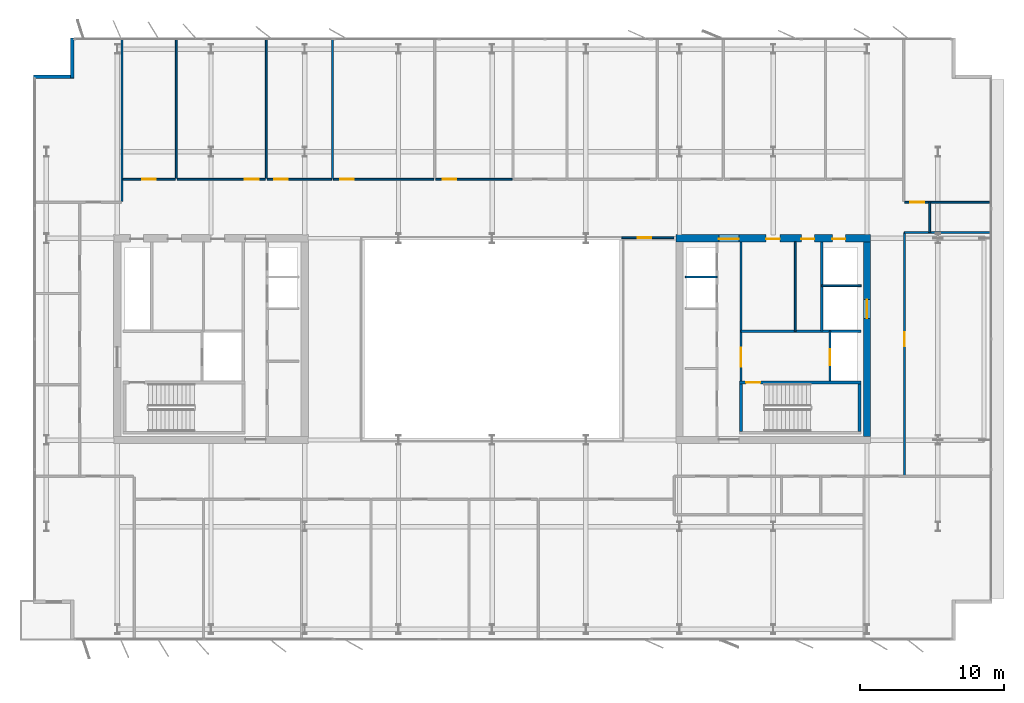
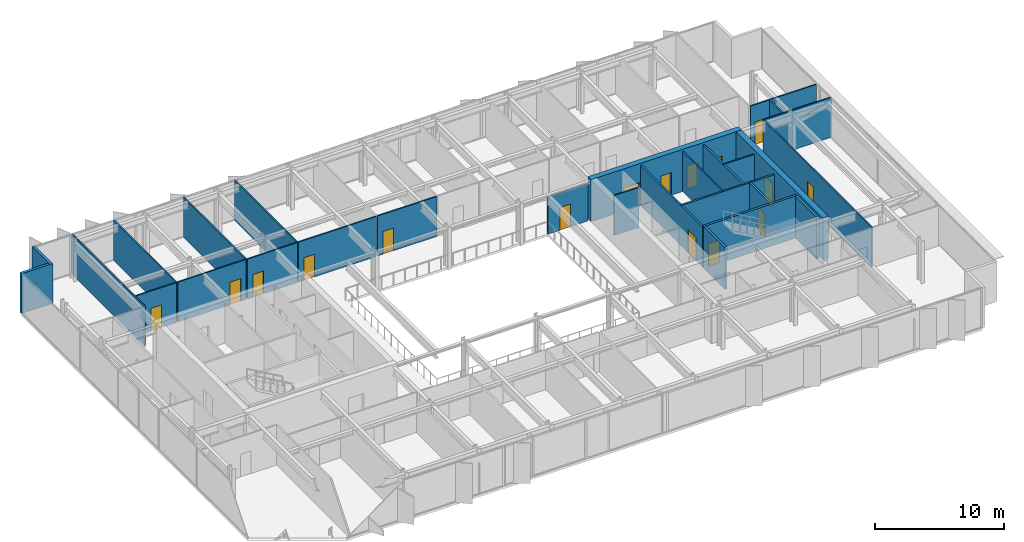
# One storey, part 15 of 20: 28 walls, 16 doors, 16 openings.
"""IFC4 building model written with IfcOpenShell, lengths in metres."""

import ifcopenshell
import ifcopenshell.guid

model = None  # the IFC model being written
_history = None  # IfcOwnerHistory: only IFC2X3 demands one
_inside = {}  # id of a spatial element -> (the spatial element, [elements in it])
_under = {}  # id of a project, library or spatial element -> (it, [spatial elements below it])
_declared = {}  # id of a project -> (the project, [libraries it declares])
_typed = {}  # id of a type object -> (the type object, [elements of that type])
_made_of = {}  # id of a material, layer set ... -> (it, [elements and type objects made of it])


def new_model(schema):
    """Start an empty IFC model of exactly this schema.

    Asked for "IFC4X3", IfcOpenShell would pick the latest addendum, in which some entities
    have other attributes; the version numbers below select the first issue.
    IFC2X3 requires an IfcOwnerHistory on every rooted entity: one is made here for all.
    """
    global model, _history
    if schema == "IFC4X3":
        model = ifcopenshell.file(schema_version=(4, 3, 0, 0))
    else:
        model = ifcopenshell.file(schema=schema)
    _inside.clear()
    _under.clear()
    _declared.clear()
    _typed.clear()
    _made_of.clear()
    _history = None
    if model.schema == "IFC2X3":
        org = make("IfcOrganization", Name="unknown")
        user = make(
            "IfcPersonAndOrganization",
            ThePerson=make("IfcPerson", FamilyName="unknown"),
            TheOrganization=org,
        )
        app = make(
            "IfcApplication",
            ApplicationDeveloper=org,
            Version="unknown",
            ApplicationFullName="unknown",
            ApplicationIdentifier="unknown",
        )
        _history = make(
            "IfcOwnerHistory",
            OwningUser=user,
            OwningApplication=app,
            ChangeAction="ADDED",
            CreationDate=0,
        )
    return model


def make(cls, **values):
    """One entity of the class cls with the attributes given. An attribute that is None is left unset."""
    return model.create_entity(
        cls, **{name: value for name, value in values.items() if value is not None}
    )


def rooted(cls, **values):
    """An entity with a GlobalId (a new one), such as an element, a storey or a relation."""
    return make(cls, GlobalId=ifcopenshell.guid.new(), OwnerHistory=_history, **values)


def si_unit(unit_type, name, prefix=None):
    """IfcSIUnit, for example si_unit("LENGTHUNIT", "METRE", prefix="MILLI")."""
    return make("IfcSIUnit", UnitType=unit_type, Prefix=prefix, Name=name)


def assignment(units):
    """IfcUnitAssignment: the units of a project."""
    return None if units is None else make("IfcUnitAssignment", Units=units)


def point(xyz):
    """IfcCartesianPoint."""
    return None if xyz is None else make("IfcCartesianPoint", Coordinates=xyz)


def direction(xyz):
    """IfcDirection."""
    return None if xyz is None else make("IfcDirection", DirectionRatios=xyz)


def frame(location, z_axis=None, x_axis=None):
    """IfcAxis2Placement3D, a coordinate frame: its origin and axes. An axis left out is left unset."""
    return make(
        "IfcAxis2Placement3D",
        Location=point(location),
        Axis=direction(z_axis),
        RefDirection=direction(x_axis),
    )


def frame_2d(location, x_axis=None):
    """IfcAxis2Placement2D, a coordinate frame in the plane: its origin and x axis."""
    return make(
        "IfcAxis2Placement2D", Location=point(location), RefDirection=direction(x_axis)
    )


def origin():
    """The frame at (0, 0, 0) with its axes left unset."""
    return frame((0.0, 0.0, 0.0))


def place(relative_to, where):
    """IfcLocalPlacement: puts the frame where relative to a parent placement (None: the world)."""
    return make(
        "IfcLocalPlacement", PlacementRelTo=relative_to, RelativePlacement=where
    )


def context(
    kind, dimensions, precision=None, world=None, true_north=None, identifier=None
):
    """IfcGeometricRepresentationContext, for example the 3D "Model" context."""
    return make(
        "IfcGeometricRepresentationContext",
        ContextIdentifier=identifier,
        ContextType=kind,
        CoordinateSpaceDimension=dimensions,
        Precision=precision,
        WorldCoordinateSystem=world,
        TrueNorth=true_north,
    )


def subcontext(parent, identifier, kind, view, scale=None):
    """IfcGeometricRepresentationSubContext, for example "Body" below "Model"."""
    return make(
        "IfcGeometricRepresentationSubContext",
        ContextIdentifier=identifier,
        ContextType=kind,
        ParentContext=parent,
        TargetScale=scale,
        TargetView=view,
    )


def project(units=None, contexts=None):
    """IfcProject with its units and contexts."""
    return rooted(
        "IfcProject",
        Name="project",
        RepresentationContexts=contexts,
        UnitsInContext=assignment(units),
    )


def spatial(cls, under=None, at=None, **own):
    """A site, building, storey or space (cls), placed at a placement, below another one or the project."""
    s = rooted(cls, ObjectPlacement=at, **own)
    if under is not None:
        _under.setdefault(under.id(), (under, []))[1].append(s)
    return s


def profile(cls, at=None, kind="AREA", **sizes):
    """A parametric profile (cls). Its sizes go by their IFC names, for example OverallWidth=200.0."""
    return make(cls, ProfileType=kind, Position=at, **sizes)


def rectangle(**sizes):
    """IfcRectangleProfileDef."""
    return profile("IfcRectangleProfileDef", **sizes)


def extrude(swept, where, along, depth):
    """IfcExtrudedAreaSolid: the profile swept, set in the frame where, extruded along a direction by depth."""
    return make(
        "IfcExtrudedAreaSolid",
        SweptArea=swept,
        Position=where,
        ExtrudedDirection=direction(along),
        Depth=depth,
    )


def shape(context_of_items, identifier, shape_type, items):
    """IfcShapeRepresentation: the items that make up one representation, for example the "Body"."""
    return make(
        "IfcShapeRepresentation",
        ContextOfItems=context_of_items,
        RepresentationIdentifier=identifier,
        RepresentationType=shape_type,
        Items=items,
    )


def material(Name=None, Category=None):
    """IfcMaterial."""
    return make("IfcMaterial", Name=Name, Category=Category)


def layer(
    of_material, thickness, ventilated=None, Name=None, Category=None, Priority=None
):
    """IfcMaterialLayer: one layer of a wall or slab, of a material (None: an air gap)."""
    return make(
        "IfcMaterialLayer",
        Material=of_material,
        LayerThickness=thickness,
        IsVentilated=ventilated,
        Name=Name,
        Category=Category,
        Priority=Priority,
    )


def layer_set(layers, Name=None):
    """IfcMaterialLayerSet."""
    return make("IfcMaterialLayerSet", MaterialLayers=layers, LayerSetName=Name)


def made_of(thing, what):
    """Note that an element or type object is made of a material, layer set ...; save() writes the relation."""
    if what is not None:
        _made_of.setdefault(what.id(), (what, []))[1].append(thing)
    return thing


def type_object(cls, material=None, **own):
    """A type object (cls), such as IfcWallType, which elements share."""
    return made_of(rooted(cls, **own), material)


def element(
    cls,
    number,
    at=None,
    inside=None,
    cuts=None,
    type_object=None,
    material=None,
    context=None,
    identifier="Body",
    shape_type=None,
    held_by="IfcProductDefinitionShape",
    body=None,
    shapes=None,
    **own,
):
    """One element of the class cls, such as IfcWall. Its Tag is "e" and its number.

    at: its placement. inside: the storey or other place that contains it. cuts: it is an
    opening in that element (IfcRelVoidsElement). A single representation is given by context,
    identifier, shape_type and body (its items); several are given by shapes. held_by: the class
    of the entity that holds the representations. save() writes the other relations.
    """
    e = rooted(cls, Tag="e%d" % number, ObjectPlacement=at, **own)
    if body is not None:
        shapes = [shape(context, identifier, shape_type, body)]
    if shapes is not None:
        e.Representation = make(held_by, Representations=shapes)
    if inside is not None:
        _inside.setdefault(inside.id(), (inside, []))[1].append(e)
    if cuts is not None:
        rooted(
            "IfcRelVoidsElement", RelatingBuildingElement=cuts, RelatedOpeningElement=e
        )
    if type_object is not None:
        _typed.setdefault(type_object.id(), (type_object, []))[1].append(e)
    return made_of(e, material)


def fill(opening, filler):
    """IfcRelFillsElement: the door or window that sits in an opening."""
    return rooted(
        "IfcRelFillsElement",
        RelatingOpeningElement=opening,
        RelatedBuildingElement=filler,
    )


def aggregate(whole, parts):
    """IfcRelAggregates: a whole, such as a stair, and the parts it consists of."""
    return rooted("IfcRelAggregates", RelatingObject=whole, RelatedObjects=parts)


def save(model, path):
    """Write the relations noted so far, then the file.

    IfcRelAggregates (storeys below a building ...), IfcRelContainedInSpatialStructure (elements
    in a storey), IfcRelDefinesByType, IfcRelAssociatesMaterial and IfcRelDeclares: one each for
    every whole, place, type object, material and project.
    """
    for whole, parts in _under.values():
        aggregate(whole, parts)
    for where, things in _inside.values():
        rooted(
            "IfcRelContainedInSpatialStructure",
            RelatedElements=things,
            RelatingStructure=where,
        )
    for kind, things in _typed.values():
        rooted("IfcRelDefinesByType", RelatedObjects=things, RelatingType=kind)
    for what, things in _made_of.values():
        rooted("IfcRelAssociatesMaterial", RelatedObjects=things, RelatingMaterial=what)
    for by, libraries in _declared.values():
        rooted("IfcRelDeclares", RelatingContext=by, RelatedDefinitions=libraries)
    model.write(path)


model = new_model("IFC4")

# Units and contexts
model_context = context("Model", 3, precision=1e-05, world=origin(), true_north=direction((0.0, 1.0)))
body_context = subcontext(model_context, "Body", "Model", "MODEL_VIEW")
ifc_project = project(units=[si_unit("LENGTHUNIT", "METRE"), si_unit("AREAUNIT", "SQUARE_METRE"), si_unit("VOLUMEUNIT", "CUBIC_METRE"), si_unit("PLANEANGLEUNIT", "RADIAN"), si_unit("MASSUNIT", "GRAM", prefix="KILO")], contexts=[model_context])

# Site, building, storey
site_placement = place(None, origin())
site = spatial("IfcSite", under=ifc_project, at=site_placement, CompositionType="ELEMENT")
building_placement = place(site_placement, origin())
building = spatial("IfcBuilding", under=site, at=building_placement, Name="Putna Gate Headquarters", CompositionType="ELEMENT")
storey_placement = place(building_placement, frame((0.0, 0.0, 294.39990234375)))
storey = spatial("IfcBuildingStorey", under=building, at=storey_placement, Name="L74", CompositionType="ELEMENT", Elevation=294.39990234375)

# Wall, openings, doors
ifc_material_1 = material(Name="Concrete C50/60", Category="concrete")
ifc_layer_1 = layer(ifc_material_1, 0.5)
ifc_layer_set_1 = layer_set([ifc_layer_1], Name="Concrete C50/60")
wall_type_1 = type_object("IfcWallType", Name="WALL-CORE-500", PredefinedType="SHEAR", material=ifc_layer_set_1)
wall_1_placement = place(storey_placement, frame((51.75, 33.0, 0.0), z_axis=(0.0, 0.0, 1.0), x_axis=(1.0, 0.0, 0.0)))
wall_1 = element("IfcWall", 1, at=wall_1_placement, inside=storey, type_object=wall_type_1, Name="L74 EC Split Core Shear Wall N", PredefinedType="SHEAR", context=body_context, shape_type="SweptSolid", body=[
    extrude(rectangle(XDim=13.5, YDim=0.5, at=frame_2d((6.75, 0.0))), origin(), (0.0, 0.0, 1.0), 4.0),
])
opening_1_placement = place(wall_1_placement, frame((2.969970703125, 0.0, 0.0)))
opening_1 = element("IfcOpeningElement", 2, at=opening_1_placement, cuts=wall_1, Name="Opening FDD-140", PredefinedType="OPENING", context=body_context, shape_type="SweptSolid", body=[
    extrude(rectangle(XDim=1.39990234375, YDim=2.199951171875, at=frame_2d((0.699951171875, 1.10009765625))), frame((0.0, 0.260009765625, 0.0), z_axis=(0.0, -1.0, 0.0), x_axis=(1.0, 0.0, 0.0)), (0.0, 0.0, 1.0), 0.52001953125),
])
opening_2_placement = place(wall_1_placement, frame((10.85009765625, 0.0, 0.0)))
opening_2 = element("IfcOpeningElement", 3, at=opening_2_placement, cuts=wall_1, Name="Opening RD-90", PredefinedType="OPENING", context=body_context, shape_type="SweptSolid", body=[
    extrude(rectangle(XDim=0.89990234375, YDim=2.14990234375, at=frame_2d((0.449951171875, 1.074951171875))), frame((0.0, 0.260009765625, 0.0), z_axis=(0.0, -1.0, 0.0), x_axis=(1.0, 0.0, 0.0)), (0.0, 0.0, 1.0), 0.52001953125),
])
opening_3_placement = place(wall_1_placement, frame((6.25, 0.0, 0.0)))
opening_3 = element("IfcOpeningElement", 4, at=opening_3_placement, cuts=wall_1, Name="Opening IDS-95", PredefinedType="OPENING", context=body_context, shape_type="SweptSolid", body=[
    extrude(rectangle(XDim=0.949951171875, YDim=2.14990234375, at=frame_2d((0.47509765625, 1.074951171875))), frame((0.0, 0.260009765625, 0.0), z_axis=(0.0, -1.0, 0.0), x_axis=(1.0, 0.0, 0.0)), (0.0, 0.0, 1.0), 0.52001953125),
])
opening_4_placement = place(wall_1_placement, frame((8.699951171875, 0.0, 0.0)))
opening_4 = element("IfcOpeningElement", 5, at=opening_4_placement, cuts=wall_1, Name="Opening IDS-90", PredefinedType="OPENING", context=body_context, shape_type="SweptSolid", body=[
    extrude(rectangle(XDim=0.89990234375, YDim=2.14990234375, at=frame_2d((0.449951171875, 1.074951171875))), frame((0.0, 0.260009765625, 0.0), z_axis=(0.0, -1.0, 0.0), x_axis=(1.0, 0.0, 0.0)), (0.0, 0.0, 1.0), 0.52001953125),
])
ifc_material_2 = material(Name="Double steel fire door", Category="steel")
door_type_1 = type_object("IfcDoorType", Name="DOOR-FIRE-DBL-1400", OperationType="DOUBLE_DOOR_SINGLE_SWING", PredefinedType="DOOR", material=ifc_material_2)
door_1_placement = place(opening_1_placement, origin())
door_1 = element("IfcDoor", 6, at=door_1_placement, inside=storey, type_object=door_type_1, Name="L74 East Lift Lobby North Door", OperationType="DOUBLE_DOOR_SINGLE_SWING", OverallHeight=2.199951171875, OverallWidth=1.39990234375, PredefinedType="DOOR", context=body_context, shape_type="SweptSolid", body=[
    extrude(rectangle(XDim=1.39990234375, YDim=2.199951171875, at=frame_2d((0.699951171875, 1.10009765625))), frame((0.0, -0.02490234375, 0.0), z_axis=(0.0, -1.0, 0.0), x_axis=(1.0, 0.0, 0.0)), (0.0, 0.0, 1.0), 0.050048828125),
])
fill(opening_1, door_1)
ifc_material_3 = material(Name="Fire-rated utility door")
door_type_2 = type_object("IfcDoorType", Name="DOOR-INT-900", OperationType="NOTDEFINED", PredefinedType="DOOR", material=ifc_material_3)
door_2_placement = place(opening_4_placement, origin())
door_2 = element("IfcDoor", 7, at=door_2_placement, inside=storey, type_object=door_type_2, Name="L74 Electrical Plant Door", OperationType="SINGLE_SWING_LEFT", OverallHeight=2.14990234375, OverallWidth=0.89990234375, PredefinedType="DOOR", context=body_context, shape_type="SweptSolid", body=[
    extrude(rectangle(XDim=0.89990234375, YDim=2.14990234375, at=frame_2d((0.449951171875, 1.074951171875))), frame((0.0, -0.02490234375, 0.0), z_axis=(0.0, -1.0, 0.0), x_axis=(1.0, 0.0, 0.0)), (0.0, 0.0, 1.0), 0.050048828125),
])
fill(opening_4, door_2)
ifc_material_4 = material(Name="Fire-rated service timber door", Category="wood")
door_type_3 = type_object("IfcDoorType", Name="DOOR-INT-950", OperationType="NOTDEFINED", PredefinedType="DOOR", material=ifc_material_4)
door_3_placement = place(opening_3_placement, origin())
door_3 = element("IfcDoor", 8, at=door_3_placement, inside=storey, type_object=door_type_3, Name="L74 East Store Door", OperationType="SINGLE_SWING_RIGHT", OverallHeight=2.14990234375, OverallWidth=0.949951171875, PredefinedType="DOOR", context=body_context, shape_type="SweptSolid", body=[
    extrude(rectangle(XDim=0.949951171875, YDim=2.14990234375, at=frame_2d((0.47509765625, 1.074951171875))), frame((0.0, -0.02490234375, 0.0), z_axis=(0.0, -1.0, 0.0), x_axis=(1.0, 0.0, 0.0)), (0.0, 0.0, 1.0), 0.050048828125),
])
fill(opening_3, door_3)
ifc_material_5 = material(Name="Steel riser access fire door", Category="steel")
door_type_4 = type_object("IfcDoorType", Name="DOOR-RISER-900", OperationType="NOTDEFINED", PredefinedType="DOOR", material=ifc_material_5)
door_4_placement = place(opening_2_placement, origin())
door_4 = element("IfcDoor", 9, at=door_4_placement, inside=storey, type_object=door_type_4, Name="L74 East Riser Access Door", OperationType="SINGLE_SWING_LEFT", OverallHeight=2.14990234375, OverallWidth=0.89990234375, PredefinedType="DOOR", context=body_context, shape_type="SweptSolid", body=[
    extrude(rectangle(XDim=0.89990234375, YDim=2.14990234375, at=frame_2d((0.449951171875, 1.074951171875))), frame((0.0, -0.02490234375, 0.0), z_axis=(0.0, -1.0, 0.0), x_axis=(1.0, 0.0, 0.0)), (0.0, 0.0, 1.0), 0.050048828125),
])
fill(opening_2, door_4)

# Wall, opening, door
wall_2_placement = place(storey_placement, frame((65.0, 19.25, 0.0), z_axis=(0.0, 0.0, 1.0), x_axis=(0.0, 1.0, 0.0)))
wall_2 = element("IfcWall", 10, at=wall_2_placement, inside=storey, type_object=wall_type_1, Name="L74 EC Split Core Shear Wall E", PredefinedType="SHEAR", context=body_context, shape_type="SweptSolid", body=[
    extrude(rectangle(XDim=13.5, YDim=0.5, at=frame_2d((6.75, 0.0))), origin(), (0.0, 0.0, 1.0), 4.0),
])
opening_5_placement = place(wall_2_placement, frame((8.199951171875, 0.0, 0.0)))
opening_5 = element("IfcOpeningElement", 11, at=opening_5_placement, cuts=wall_2, Name="Opening LD-2", PredefinedType="OPENING", context=body_context, shape_type="SweptSolid", body=[
    extrude(rectangle(XDim=1.300048828125, YDim=2.199951171875, at=frame_2d((0.64990234375, 1.10009765625))), frame((0.0, 0.260009765625, 0.0), z_axis=(0.0, -1.0, 0.0), x_axis=(1.0, 0.0, 0.0)), (0.0, 0.0, 1.0), 0.52001953125),
])
ifc_material_6 = material(Name="Heavy-duty goods lift sliding landing door")
door_type_5 = type_object("IfcDoorType", Name="DOOR-LIFT-1300", OperationType="DOUBLE_DOOR_SLIDING", PredefinedType="DOOR", material=ifc_material_6)
door_5_placement = place(opening_5_placement, origin())
door_5 = element("IfcDoor", 12, at=door_5_placement, inside=storey, type_object=door_type_5, Name="L74 Goods Lift Landing Door LD-15", OperationType="DOUBLE_DOOR_SLIDING", OverallHeight=2.199951171875, OverallWidth=1.300048828125, PredefinedType="DOOR", context=body_context, shape_type="SweptSolid", body=[
    extrude(rectangle(XDim=1.300048828125, YDim=2.199951171875, at=frame_2d((0.64990234375, 1.10009765625))), frame((0.0, 0.02490234375, 0.0), z_axis=(0.0, -1.0, 0.0), x_axis=(1.0, 0.0, 0.0)), (0.0, 0.0, 1.0), 0.050048828125),
])
fill(opening_5, door_5)

# Walls
ifc_material_7 = material(Name="Precast concrete C40/50", Category="concrete")
ifc_layer_2 = layer(ifc_material_7, 0.239990234375)
ifc_layer_set_2 = layer_set([ifc_layer_2], Name="Precast concrete C40/50")
wall_type_2 = type_object("IfcWallType", Name="WALL-EXT-TERR-240", PredefinedType="STANDARD", material=ifc_layer_set_2)
wall_3_placement = place(storey_placement, frame((9.8798828125, 44.10009765625, 0.0), z_axis=(0.0, 0.0, 1.0), x_axis=(0.0, 1.0, 0.0)))
element("IfcWall", 13, at=wall_3_placement, inside=storey, type_object=wall_type_2, Name="L74 Corner Notch Return Wall NW-V", PredefinedType="STANDARD", context=body_context, shape_type="SweptSolid", body=[
    extrude(rectangle(XDim=2.7998046875, YDim=0.239990234375, at=frame_2d((1.39990234375, 0.0))), origin(), (0.0, 0.0, 1.0), 3.7880859375),
])
wall_4_placement = place(storey_placement, frame((7.199951171875, 44.219970703125, 0.0), z_axis=(0.0, 0.0, 1.0), x_axis=(1.0, 0.0, 0.0)))
element("IfcWall", 14, at=wall_4_placement, inside=storey, type_object=wall_type_2, Name="L74 Corner Notch Return Wall NW-H", PredefinedType="STANDARD", context=body_context, shape_type="SweptSolid", body=[
    extrude(rectangle(XDim=2.800048828125, YDim=0.239990234375, at=frame_2d((1.39990234375, 0.0))), origin(), (0.0, 0.0, 1.0), 3.7880859375),
])

# Wall, opening, door
ifc_material_8 = material(Name="Acoustic gypsum board on metal stud")
ifc_layer_3 = layer(ifc_material_8, 0.1201171875)
ifc_layer_set_3 = layer_set([ifc_layer_3], Name="Acoustic gypsum board on metal stud")
wall_type_3 = type_object("IfcWallType", Name="WALL-PART-120", PredefinedType="PARTITIONING", material=ifc_layer_set_3)
wall_5_placement = place(storey_placement, frame((48.0, 33.0400390625, 0.0), z_axis=(0.0, 0.0, 1.0), x_axis=(1.0, 0.0, 0.0)))
wall_5 = element("IfcWall", 15, at=wall_5_placement, inside=storey, type_object=wall_type_3, Name="L74 Interior Wall PART-L74-ATR-E-N", PredefinedType="PARTITIONING", context=body_context, shape_type="SweptSolid", body=[
    extrude(rectangle(XDim=3.60009765625, YDim=0.1201171875, at=frame_2d((1.800048828125, 0.0))), origin(), (0.0, 0.0, 1.0), 3.528076171875),
])
opening_6_placement = place(wall_5_placement, frame((1.10009765625, 0.0, 0.0)))
opening_6 = element("IfcOpeningElement", 16, at=opening_6_placement, cuts=wall_5, Name="Opening ID-95", PredefinedType="OPENING", context=body_context, shape_type="SweptSolid", body=[
    extrude(rectangle(XDim=0.949951171875, YDim=2.14990234375, at=frame_2d((0.47509765625, 1.074951171875))), frame((0.0, 0.070068359375, 0.0), z_axis=(0.0, -1.0, 0.0), x_axis=(1.0, 0.0, 0.0)), (0.0, 0.0, 1.0), 0.14013671875),
])
ifc_material_9 = material(Name="Veneered acoustic timber door", Category="wood")
door_type_6 = type_object("IfcDoorType", Name="DOOR-OFF-950", OperationType="NOTDEFINED", PredefinedType="DOOR", material=ifc_material_9)
door_6_placement = place(opening_6_placement, origin())
door_6 = element("IfcDoor", 17, at=door_6_placement, inside=storey, type_object=door_type_6, Name="L74 East Sky Atrium Lounge Door", OperationType="SINGLE_SWING_LEFT", OverallHeight=2.14990234375, OverallWidth=0.949951171875, PredefinedType="DOOR", context=body_context, shape_type="SweptSolid", body=[
    extrude(rectangle(XDim=0.949951171875, YDim=2.14990234375, at=frame_2d((0.47509765625, 1.074951171875))), frame((0.0, 0.02490234375, 0.0), z_axis=(0.0, -1.0, 0.0), x_axis=(1.0, 0.0, 0.0)), (0.0, 0.0, 1.0), 0.050048828125),
])
fill(opening_6, door_6)

# Walls
wall_6_placement = place(storey_placement, frame((13.331298828125, 35.56005859375, 0.0), z_axis=(0.0, 0.0, 1.0), x_axis=(0.0, 1.0, 0.0)))
element("IfcWall", 18, at=wall_6_placement, inside=storey, type_object=wall_type_3, Name="L74 Interior Wall PART-L74-NB-DIV-01", PredefinedType="PARTITIONING", context=body_context, shape_type="SweptSolid", body=[
    extrude(rectangle(XDim=11.31982421875, YDim=0.1201171875, at=frame_2d((5.659912109375, 0.0))), origin(), (0.0, 0.0, 1.0), 3.7880859375),
])
for number, where, z_axis, x_axis, name in (
    (19, (17.08056640625, 37.159912109375, 0.0), (0.0, 0.0, 1.0), (0.0, 1.0, 0.0), "L74 Interior Wall PART-L74-NB-DIV-02"),
    (20, (23.3359375, 37.159912109375, 0.0), (0.0, 0.0, 1.0), (0.0, 1.0, 0.0), "L74 Interior Wall PART-L74-NB-DIV-03"),
    (21, (27.925048828125, 37.159912109375, 0.0), (0.0, 0.0, 1.0), (0.0, 1.0, 0.0), "L74 Interior Wall PART-L74-NB-DIV-04"),
):
    element("IfcWall", number, at=place(storey_placement, frame(where, z_axis=z_axis, x_axis=x_axis)), inside=storey, type_object=wall_type_3, Name=name, PredefinedType="PARTITIONING", context=body_context, shape_type="SweptSolid", body=[
        extrude(rectangle(XDim=9.719970703125, YDim=0.1201171875, at=frame_2d((4.85986328125, 0.0))), origin(), (0.0, 0.0, 1.0), 3.7880859375),
    ])
ifc_material_10 = material(Name="Fire-rated shaftwall gypsum board on metal stud")
ifc_layer_4 = layer(ifc_material_10, 0.1201171875)
ifc_layer_set_4 = layer_set([ifc_layer_4], Name="Fire-rated shaftwall gypsum board on metal stud")
wall_type_4 = type_object("IfcWallType", Name="WALL-PART-120-EI120", PredefinedType="PARTITIONING", material=ifc_layer_set_4)
wall_7_placement = place(storey_placement, frame((52.39990234375, 30.31005859375, 0.0), z_axis=(0.0, 0.0, 1.0), x_axis=(1.0, 0.0, 0.0)))
element("IfcWall", 22, at=wall_7_placement, inside=storey, type_object=wall_type_4, Name="L74 Interior Wall CWINT-L74-EC-LF11-DIV", PredefinedType="PARTITIONING", context=body_context, shape_type="SweptSolid", body=[
    extrude(rectangle(XDim=2.2001953125, YDim=0.1201171875, at=frame_2d((1.10009765625, 0.0))), origin(), (0.0, 0.0, 1.0), 3.7880859375),
])
wall_8_placement = place(storey_placement, frame((61.8701171875, 29.699951171875, 0.0), z_axis=(0.0, 0.0, 1.0), x_axis=(1.0, 0.0, 0.0)))
element("IfcWall", 23, at=wall_8_placement, inside=storey, type_object=wall_type_4, Name="L74 Interior Wall CWINT-L74-EC-LF15-N", PredefinedType="PARTITIONING", context=body_context, shape_type="SweptSolid", body=[
    extrude(rectangle(XDim=2.72998046875, YDim=0.1201171875, at=frame_2d((1.364990234375, 0.0))), origin(), (0.0, 0.0, 1.0), 3.7880859375),
])
ifc_material_11 = material(Name="Fire-rated gypsum board on metal stud")
ifc_layer_5 = layer(ifc_material_11, 0.1201171875)
ifc_layer_set_5 = layer_set([ifc_layer_5], Name="Fire-rated gypsum board on metal stud")
wall_type_5 = type_object("IfcWallType", Name="WALL-PART-120-RATED", PredefinedType="PARTITIONING", material=ifc_layer_set_5)
wall_9_placement = place(storey_placement, frame((60.02001953125, 26.56005859375, 0.0), z_axis=(0.0, 0.0, 1.0), x_axis=(0.0, 1.0, 0.0)))
element("IfcWall", 24, at=wall_9_placement, inside=storey, type_object=wall_type_5, Name="L74 Interior Wall CWINT-L74-EC-K0-DIV", PredefinedType="PARTITIONING", context=body_context, shape_type="SweptSolid", body=[
    extrude(rectangle(XDim=6.18994140625, YDim=0.1201171875, at=frame_2d((3.094970703125, 0.0))), origin(), (0.0, 0.0, 1.0), 3.7880859375),
])
wall_10_placement = place(storey_placement, frame((69.353759765625, 33.39990234375, 0.0), z_axis=(0.0, 0.0, 1.0), x_axis=(0.0, 1.0, 0.0)))
element("IfcWall", 25, at=wall_10_placement, inside=storey, type_object=wall_type_5, Name="L74 Interior Wall PART-L74-CORRN-CAPE", PredefinedType="PARTITIONING", context=body_context, shape_type="SweptSolid", body=[
    extrude(rectangle(XDim=2.10009765625, YDim=0.1201171875, at=frame_2d((1.050048828125, 0.0))), origin(), (0.0, 0.0, 1.0), 3.7880859375),
])

# Wall, opening, door
wall_11_placement = place(storey_placement, frame((13.391357421875, 37.10009765625, 0.0), z_axis=(0.0, 0.0, 1.0), x_axis=(1.0, 0.0, 0.0)))
wall_11 = element("IfcWall", 26, at=wall_11_placement, inside=storey, type_object=wall_type_5, Name="L74 Interior Wall PART-L74-NB-CW-02", PredefinedType="PARTITIONING", context=body_context, shape_type="SweptSolid", body=[
    extrude(rectangle(XDim=3.629150390625, YDim=0.1201171875, at=frame_2d((1.814453125, 0.0))), origin(), (0.0, 0.0, 1.0), 3.7880859375),
])
opening_7_placement = place(wall_11_placement, frame((1.339599609375, 0.0, 0.0)))
opening_7 = element("IfcOpeningElement", 27, at=opening_7_placement, cuts=wall_11, Name="Opening FD-95", PredefinedType="OPENING", context=body_context, shape_type="SweptSolid", body=[
    extrude(rectangle(XDim=0.949951171875, YDim=2.14990234375, at=frame_2d((0.47509765625, 1.074951171875))), frame((0.0, 0.070068359375, 0.0), z_axis=(0.0, -1.0, 0.0), x_axis=(1.0, 0.0, 0.0)), (0.0, 0.0, 1.0), 0.14013671875),
])
ifc_material_12 = material(Name="Acoustic timber fire door", Category="wood")
door_type_7 = type_object("IfcDoorType", Name="DOOR-FIRE-950", OperationType="NOTDEFINED", PredefinedType="DOOR", material=ifc_material_12)
door_7_placement = place(opening_7_placement, origin())
door_7 = element("IfcDoor", 28, at=door_7_placement, inside=storey, type_object=door_type_7, Name="L74 Collaborative Breakout Lounge 3 Door", OperationType="SINGLE_SWING_LEFT", OverallHeight=2.14990234375, OverallWidth=0.949951171875, PredefinedType="DOOR", context=body_context, shape_type="SweptSolid", body=[
    extrude(rectangle(XDim=0.949951171875, YDim=2.14990234375, at=frame_2d((0.47509765625, 1.074951171875))), frame((0.0, 0.02490234375, 0.0), z_axis=(0.0, -1.0, 0.0), x_axis=(1.0, 0.0, 0.0)), (0.0, 0.0, 1.0), 0.050048828125),
])
fill(opening_7, door_7)

wall_12_placement = place(storey_placement, frame((17.140380859375, 37.10009765625, 0.0), z_axis=(0.0, 0.0, 1.0), x_axis=(1.0, 0.0, 0.0)))
wall_12 = element("IfcWall", 29, at=wall_12_placement, inside=storey, type_object=wall_type_5, Name="L74 Interior Wall PART-L74-NB-CW-03", PredefinedType="PARTITIONING", context=body_context, shape_type="SweptSolid", body=[
    extrude(rectangle(XDim=6.135498046875, YDim=0.1201171875, at=frame_2d((3.06787109375, 0.0))), origin(), (0.0, 0.0, 1.0), 3.7880859375),
])
opening_8_placement = place(wall_12_placement, frame((4.70556640625, 0.0, 0.0)))
opening_8 = element("IfcOpeningElement", 30, at=opening_8_placement, cuts=wall_12, Name="Opening FD-95", PredefinedType="OPENING", context=body_context, shape_type="SweptSolid", body=[
    extrude(rectangle(XDim=0.949951171875, YDim=2.14990234375, at=frame_2d((0.47509765625, 1.074951171875))), frame((0.0, 0.070068359375, 0.0), z_axis=(0.0, -1.0, 0.0), x_axis=(1.0, 0.0, 0.0)), (0.0, 0.0, 1.0), 0.14013671875),
])
door_8_placement = place(opening_8_placement, origin())
door_8 = element("IfcDoor", 31, at=door_8_placement, inside=storey, type_object=door_type_7, Name="L74 Quiet Wellness Focus Studio 1 Door", OperationType="SINGLE_SWING_RIGHT", OverallHeight=2.14990234375, OverallWidth=0.949951171875, PredefinedType="DOOR", context=body_context, shape_type="SweptSolid", body=[
    extrude(rectangle(XDim=0.949951171875, YDim=2.14990234375, at=frame_2d((0.47509765625, 1.074951171875))), frame((0.0, 0.02490234375, 0.0), z_axis=(0.0, -1.0, 0.0), x_axis=(1.0, 0.0, 0.0)), (0.0, 0.0, 1.0), 0.050048828125),
])
fill(opening_8, door_8)

wall_13_placement = place(storey_placement, frame((23.39599609375, 37.10009765625, 0.0), z_axis=(0.0, 0.0, 1.0), x_axis=(1.0, 0.0, 0.0)))
wall_13 = element("IfcWall", 32, at=wall_13_placement, inside=storey, type_object=wall_type_5, Name="L74 Interior Wall PART-L74-NB-CW-04", PredefinedType="PARTITIONING", context=body_context, shape_type="SweptSolid", body=[
    extrude(rectangle(XDim=4.468994140625, YDim=0.1201171875, at=frame_2d((2.234375, 0.0))), origin(), (0.0, 0.0, 1.0), 3.7880859375),
])
opening_9_placement = place(wall_13_placement, frame((0.47998046875, 0.0, 0.0)))
opening_9 = element("IfcOpeningElement", 33, at=opening_9_placement, cuts=wall_13, Name="Opening FD-95", PredefinedType="OPENING", context=body_context, shape_type="SweptSolid", body=[
    extrude(rectangle(XDim=0.949951171875, YDim=2.14990234375, at=frame_2d((0.47509765625, 1.074951171875))), frame((0.0, 0.070068359375, 0.0), z_axis=(0.0, -1.0, 0.0), x_axis=(1.0, 0.0, 0.0)), (0.0, 0.0, 1.0), 0.14013671875),
])
door_9_placement = place(opening_9_placement, origin())
door_9 = element("IfcDoor", 34, at=door_9_placement, inside=storey, type_object=door_type_7, Name="L74 Quiet Wellness Focus Studio 2 Door", OperationType="SINGLE_SWING_LEFT", OverallHeight=2.14990234375, OverallWidth=0.949951171875, PredefinedType="DOOR", context=body_context, shape_type="SweptSolid", body=[
    extrude(rectangle(XDim=0.949951171875, YDim=2.14990234375, at=frame_2d((0.47509765625, 1.074951171875))), frame((0.0, 0.02490234375, 0.0), z_axis=(0.0, -1.0, 0.0), x_axis=(1.0, 0.0, 0.0)), (0.0, 0.0, 1.0), 0.050048828125),
])
fill(opening_9, door_9)

wall_14_placement = place(storey_placement, frame((27.985107421875, 37.10009765625, 0.0), z_axis=(0.0, 0.0, 1.0), x_axis=(1.0, 0.0, 0.0)))
wall_14 = element("IfcWall", 35, at=wall_14_placement, inside=storey, type_object=wall_type_5, Name="L74 Interior Wall PART-L74-NB-CW-05", PredefinedType="PARTITIONING", context=body_context, shape_type="SweptSolid", body=[
    extrude(rectangle(XDim=6.97509765625, YDim=0.1201171875, at=frame_2d((3.487548828125, 0.0))), origin(), (0.0, 0.0, 1.0), 3.7880859375),
])
opening_10_placement = place(wall_14_placement, frame((0.47998046875, 0.0, 0.0)))
opening_10 = element("IfcOpeningElement", 36, at=opening_10_placement, cuts=wall_14, Name="Opening FD-95", PredefinedType="OPENING", context=body_context, shape_type="SweptSolid", body=[
    extrude(rectangle(XDim=0.949951171875, YDim=2.14990234375, at=frame_2d((0.47509765625, 1.074951171875))), frame((0.0, 0.070068359375, 0.0), z_axis=(0.0, -1.0, 0.0), x_axis=(1.0, 0.0, 0.0)), (0.0, 0.0, 1.0), 0.14013671875),
])
door_10_placement = place(opening_10_placement, origin())
door_10 = element("IfcDoor", 37, at=door_10_placement, inside=storey, type_object=door_type_7, Name="L74 Cellular Office 1 Door", OperationType="SINGLE_SWING_RIGHT", OverallHeight=2.14990234375, OverallWidth=0.949951171875, PredefinedType="DOOR", context=body_context, shape_type="SweptSolid", body=[
    extrude(rectangle(XDim=0.949951171875, YDim=2.14990234375, at=frame_2d((0.47509765625, 1.074951171875))), frame((0.0, 0.02490234375, 0.0), z_axis=(0.0, -1.0, 0.0), x_axis=(1.0, 0.0, 0.0)), (0.0, 0.0, 1.0), 0.050048828125),
])
fill(opening_10, door_10)

wall_15_placement = place(storey_placement, frame((35.080078125, 37.10009765625, 0.0), z_axis=(0.0, 0.0, 1.0), x_axis=(1.0, 0.0, 0.0)))
wall_15 = element("IfcWall", 38, at=wall_15_placement, inside=storey, type_object=wall_type_5, Name="L74 Interior Wall PART-L74-NB-CW-06", PredefinedType="PARTITIONING", context=body_context, shape_type="SweptSolid", body=[
    extrude(rectangle(XDim=5.302490234375, YDim=0.1201171875, at=frame_2d((2.6513671875, 0.0))), origin(), (0.0, 0.0, 1.0), 3.7880859375),
])
opening_11_placement = place(wall_15_placement, frame((0.47998046875, 0.0, 0.0)))
opening_11 = element("IfcOpeningElement", 39, at=opening_11_placement, cuts=wall_15, Name="Opening FD-95", PredefinedType="OPENING", context=body_context, shape_type="SweptSolid", body=[
    extrude(rectangle(XDim=0.949951171875, YDim=2.14990234375, at=frame_2d((0.47509765625, 1.074951171875))), frame((0.0, 0.070068359375, 0.0), z_axis=(0.0, -1.0, 0.0), x_axis=(1.0, 0.0, 0.0)), (0.0, 0.0, 1.0), 0.14013671875),
])
door_11_placement = place(opening_11_placement, origin())
door_11 = element("IfcDoor", 40, at=door_11_placement, inside=storey, type_object=door_type_7, Name="L74 Cellular Office 2 Door", OperationType="SINGLE_SWING_LEFT", OverallHeight=2.14990234375, OverallWidth=0.949951171875, PredefinedType="DOOR", context=body_context, shape_type="SweptSolid", body=[
    extrude(rectangle(XDim=0.949951171875, YDim=2.14990234375, at=frame_2d((0.47509765625, 1.074951171875))), frame((0.0, 0.02490234375, 0.0), z_axis=(0.0, -1.0, 0.0), x_axis=(1.0, 0.0, 0.0)), (0.0, 0.0, 1.0), 0.050048828125),
])
fill(opening_11, door_11)

wall_16_placement = place(storey_placement, frame((67.61376953125, 35.5, 0.0), z_axis=(0.0, 0.0, 1.0), x_axis=(1.0, 0.0, 0.0)))
wall_16 = element("IfcWall", 41, at=wall_16_placement, inside=storey, type_object=wall_type_5, Name="L74 Interior Wall PART-L74-NB-CW-12", PredefinedType="PARTITIONING", context=body_context, shape_type="SweptSolid", body=[
    extrude(rectangle(XDim=5.89111328125, YDim=0.1201171875, at=frame_2d((2.945556640625, 0.0))), origin(), (0.0, 0.0, 1.0), 3.7880859375),
])
opening_12_placement = place(wall_16_placement, frame((0.39501953125, 0.0, 0.0)))
opening_12 = element("IfcOpeningElement", 42, at=opening_12_placement, cuts=wall_16, Name="Opening FD-95", PredefinedType="OPENING", context=body_context, shape_type="SweptSolid", body=[
    extrude(rectangle(XDim=0.949951171875, YDim=2.14990234375, at=frame_2d((0.47509765625, 1.074951171875))), frame((0.0, 0.070068359375, 0.0), z_axis=(0.0, -1.0, 0.0), x_axis=(1.0, 0.0, 0.0)), (0.0, 0.0, 1.0), 0.14013671875),
])
door_12_placement = place(opening_12_placement, origin())
door_12 = element("IfcDoor", 43, at=door_12_placement, inside=storey, type_object=door_type_7, Name="L74 Conference Meeting Room 7 Door", OperationType="SINGLE_SWING_LEFT", OverallHeight=2.14990234375, OverallWidth=0.949951171875, PredefinedType="DOOR", context=body_context, shape_type="SweptSolid", body=[
    extrude(rectangle(XDim=0.949951171875, YDim=2.14990234375, at=frame_2d((0.47509765625, 1.074951171875))), frame((0.0, 0.02490234375, 0.0), z_axis=(0.0, -1.0, 0.0), x_axis=(1.0, 0.0, 0.0)), (0.0, 0.0, 1.0), 0.050048828125),
])
fill(opening_12, door_12)

# Wall
wall_17_placement = place(storey_placement, frame((67.60009765625, 33.39990234375, 0.0), z_axis=(0.0, 0.0, 1.0), x_axis=(1.0, 0.0, 0.0)))
element("IfcWall", 44, at=wall_17_placement, inside=storey, type_object=wall_type_5, Name="L74 Interior Wall PART-L74-EW-N-BOUND", PredefinedType="PARTITIONING", context=body_context, shape_type="SweptSolid", body=[
    extrude(rectangle(XDim=6.06494140625, YDim=0.1201171875, at=frame_2d((3.032470703125, 0.0))), origin(), (0.0, 0.0, 1.0), 3.7880859375),
])

# Wall, opening, door
wall_18_placement = place(storey_placement, frame((67.60009765625, 16.5, 0.0), z_axis=(0.0, 0.0, 1.0), x_axis=(0.0, 1.0, 0.0)))
wall_18 = element("IfcWall", 45, at=wall_18_placement, inside=storey, type_object=wall_type_5, Name="L74 Interior Wall PART-L74-EW-CW-1", PredefinedType="PARTITIONING", context=body_context, shape_type="SweptSolid", body=[
    extrude(rectangle(XDim=16.89990234375, YDim=0.1201171875, at=frame_2d((8.449951171875, 0.0))), origin(), (0.0, 0.0, 1.0), 3.7880859375),
])
opening_13_placement = place(wall_18_placement, frame((9.02490234375, 0.0, 0.0)))
opening_13 = element("IfcOpeningElement", 46, at=opening_13_placement, cuts=wall_18, Name="Opening FD-95", PredefinedType="OPENING", context=body_context, shape_type="SweptSolid", body=[
    extrude(rectangle(XDim=0.949951171875, YDim=2.14990234375, at=frame_2d((0.47509765625, 1.074951171875))), frame((0.0, 0.070068359375, 0.0), z_axis=(0.0, -1.0, 0.0), x_axis=(1.0, 0.0, 0.0)), (0.0, 0.0, 1.0), 0.14013671875),
])
door_13_placement = place(opening_13_placement, origin())
door_13 = element("IfcDoor", 47, at=door_13_placement, inside=storey, type_object=door_type_7, Name="L74 East Advisory Office 1 Door", OperationType="SINGLE_SWING_LEFT", OverallHeight=2.14990234375, OverallWidth=0.949951171875, PredefinedType="DOOR", context=body_context, shape_type="SweptSolid", body=[
    extrude(rectangle(XDim=0.949951171875, YDim=2.14990234375, at=frame_2d((0.47509765625, 1.074951171875))), frame((0.0, 0.02490234375, 0.0), z_axis=(0.0, -1.0, 0.0), x_axis=(1.0, 0.0, 0.0)), (0.0, 0.0, 1.0), 0.050048828125),
])
fill(opening_13, door_13)

ifc_material_13 = material(Name="Concrete C40/50", Category="concrete")
ifc_layer_6 = layer(ifc_material_13, 0.159912109375)
ifc_layer_set_6 = layer_set([ifc_layer_6], Name="Concrete C40/50")
wall_type_6 = type_object("IfcWallType", Name="WALL-SHAFT-160", PredefinedType="STANDARD", material=ifc_layer_set_6)
wall_19_placement = place(storey_placement, frame((56.260009765625, 23.090087890625, 0.0), z_axis=(0.0, 0.0, 1.0), x_axis=(0.0, 1.0, 0.0)))
wall_19 = element("IfcWall", 48, at=wall_19_placement, inside=storey, type_object=wall_type_6, Name="L74 Interior Wall CWINT-L74-EC-LOB-E", PredefinedType="STANDARD", context=body_context, shape_type="SweptSolid", body=[
    extrude(rectangle(XDim=9.659912109375, YDim=0.159912109375, at=frame_2d((4.830078125, 0.0))), origin(), (0.0, 0.0, 1.0), 3.7880859375),
])
opening_14_placement = place(wall_19_placement, frame((1.010009765625, 0.0, 0.0)))
opening_14 = element("IfcOpeningElement", 49, at=opening_14_placement, cuts=wall_19, Name="Opening FDD-130", PredefinedType="OPENING", context=body_context, shape_type="SweptSolid", body=[
    extrude(rectangle(XDim=1.300048828125, YDim=2.199951171875, at=frame_2d((0.64990234375, 1.10009765625))), frame((0.0, 0.08984375, 0.0), z_axis=(0.0, -1.0, 0.0), x_axis=(1.0, 0.0, 0.0)), (0.0, 0.0, 1.0), 0.179931640625),
])
ifc_material_14 = material(Name="Double steel lobby fire door", Category="steel")
door_type_8 = type_object("IfcDoorType", Name="DOOR-FIRE-DBL-1300", OperationType="DOUBLE_DOOR_SINGLE_SWING", PredefinedType="DOOR", material=ifc_material_14)
door_14_placement = place(opening_14_placement, origin())
door_14 = element("IfcDoor", 50, at=door_14_placement, inside=storey, type_object=door_type_8, Name="L74 East Firefighting Lobby Door", OperationType="DOUBLE_DOOR_SINGLE_SWING", OverallHeight=2.199951171875, OverallWidth=1.300048828125, PredefinedType="DOOR", context=body_context, shape_type="SweptSolid", body=[
    extrude(rectangle(XDim=1.300048828125, YDim=2.199951171875, at=frame_2d((0.64990234375, 1.10009765625))), frame((0.0, 0.02490234375, 0.0), z_axis=(0.0, -1.0, 0.0), x_axis=(1.0, 0.0, 0.0)), (0.0, 0.0, 1.0), 0.050048828125),
])
fill(opening_14, door_14)

wall_20_placement = place(storey_placement, frame((62.429931640625, 23.090087890625, 0.0), z_axis=(0.0, 0.0, 1.0), x_axis=(0.0, 1.0, 0.0)))
wall_20 = element("IfcWall", 51, at=wall_20_placement, inside=storey, type_object=wall_type_6, Name="L74 Interior Wall CWINT-L74-EC-LF14-W", PredefinedType="STANDARD", context=body_context, shape_type="SweptSolid", body=[
    extrude(rectangle(XDim=3.469970703125, YDim=0.159912109375, at=frame_2d((1.73486328125, 0.0))), origin(), (0.0, 0.0, 1.0), 3.7880859375),
])
opening_15_placement = place(wall_20_placement, frame((1.10009765625, 0.0, 0.0)))
opening_15 = element("IfcOpeningElement", 52, at=opening_15_placement, cuts=wall_20, Name="Opening LD-1", PredefinedType="OPENING", context=body_context, shape_type="SweptSolid", body=[
    extrude(rectangle(XDim=1.10009765625, YDim=2.199951171875, at=frame_2d((0.550048828125, 1.10009765625))), frame((0.0, 0.08984375, 0.0), z_axis=(0.0, -1.0, 0.0), x_axis=(1.0, 0.0, 0.0)), (0.0, 0.0, 1.0), 0.179931640625),
])
ifc_material_15 = material(Name="Brushed bronze stainless lift landing door")
door_type_9 = type_object("IfcDoorType", Name="DOOR-LIFT-1100", OperationType="DOUBLE_DOOR_SLIDING", PredefinedType="DOOR", material=ifc_material_15)
door_15_placement = place(opening_15_placement, origin())
door_15 = element("IfcDoor", 53, at=door_15_placement, inside=storey, type_object=door_type_9, Name="L74 Lift Landing Door LD-14", OperationType="DOUBLE_DOOR_SLIDING", OverallHeight=2.199951171875, OverallWidth=1.10009765625, PredefinedType="DOOR", context=body_context, shape_type="SweptSolid", body=[
    extrude(rectangle(XDim=1.10009765625, YDim=2.199951171875, at=frame_2d((0.550048828125, 1.10009765625))), frame((0.0, 0.02490234375, 0.0), z_axis=(0.0, -1.0, 0.0), x_axis=(1.0, 0.0, 0.0)), (0.0, 0.0, 1.0), 0.050048828125),
])
fill(opening_15, door_15)

# Walls
wall_21_placement = place(storey_placement, frame((56.260009765625, 26.56005859375, 0.0), z_axis=(0.0, 0.0, 1.0), x_axis=(1.0, 0.0, 0.0)))
element("IfcWall", 54, at=wall_21_placement, inside=storey, type_object=wall_type_6, Name="L74 Interior Wall CWINT-L74-EC-FFL-N", PredefinedType="STANDARD", context=body_context, shape_type="SweptSolid", body=[
    extrude(rectangle(XDim=8.340087890625, YDim=0.159912109375, at=frame_2d((4.169921875, 0.0))), origin(), (0.0, 0.0, 1.0), 3.7880859375),
])
wall_22_placement = place(storey_placement, frame((61.8701171875, 26.56005859375, 0.0), z_axis=(0.0, 0.0, 1.0), x_axis=(0.0, 1.0, 0.0)))
element("IfcWall", 55, at=wall_22_placement, inside=storey, type_object=wall_type_6, Name="L74 Interior Wall CWINT-L74-EC-LF15-W", PredefinedType="STANDARD", context=body_context, shape_type="SweptSolid", body=[
    extrude(rectangle(XDim=6.18994140625, YDim=0.159912109375, at=frame_2d((3.094970703125, 0.0))), origin(), (0.0, 0.0, 1.0), 3.7880859375),
])

# Wall, opening, door
ifc_layer_7 = layer(ifc_material_13, 0.199951171875)
ifc_layer_set_7 = layer_set([ifc_layer_7], Name="Concrete C40/50")
wall_type_7 = type_object("IfcWallType", Name="WALL-SHAFT-RC200", PredefinedType="SHEAR", material=ifc_layer_set_7)
wall_23_placement = place(storey_placement, frame((56.159912109375, 22.989990234375, 0.0), z_axis=(0.0, 0.0, 1.0), x_axis=(1.0, 0.0, 0.0)))
wall_23 = element("IfcWall", 56, at=wall_23_placement, inside=storey, type_object=wall_type_7, Name="L74 Stair ST2 Structural Shaft Wall N", PredefinedType="SHEAR", context=body_context, shape_type="SweptSolid", body=[
    extrude(rectangle(XDim=8.43017578125, YDim=0.199951171875, at=frame_2d((4.215087890625, 0.0))), origin(), (0.0, 0.0, 1.0), 4.0),
])
opening_16_placement = place(wall_23_placement, frame((0.449951171875, 0.0, 0.0)))
opening_16 = element("IfcOpeningElement", 57, at=opening_16_placement, cuts=wall_23, Name="Opening FD-100", PredefinedType="OPENING", context=body_context, shape_type="SweptSolid", body=[
    extrude(rectangle(XDim=1.0, YDim=2.14990234375, at=frame_2d((0.5, 1.074951171875))), frame((0.0, 0.10986328125, 0.0), z_axis=(0.0, -1.0, 0.0), x_axis=(1.0, 0.0, 0.0)), (0.0, 0.0, 1.0), 0.219970703125),
])
ifc_material_16 = material(Name="Powder-coated steel fire door", Category="steel")
door_type_10 = type_object("IfcDoorType", Name="DOOR-FIRE-1000", OperationType="NOTDEFINED", PredefinedType="DOOR", material=ifc_material_16)
door_16_placement = place(opening_16_placement, origin())
door_16 = element("IfcDoor", 58, at=door_16_placement, inside=storey, type_object=door_type_10, Name="L74 Stair ST2 Fire Door", OperationType="SINGLE_SWING_RIGHT", OverallHeight=2.14990234375, OverallWidth=1.0, PredefinedType="DOOR", context=body_context, shape_type="SweptSolid", body=[
    extrude(rectangle(XDim=1.0, YDim=2.14990234375, at=frame_2d((0.5, 1.074951171875))), frame((0.0, 0.02490234375, 0.0), z_axis=(0.0, -1.0, 0.0), x_axis=(1.0, 0.0, 0.0)), (0.0, 0.0, 1.0), 0.050048828125),
])
fill(opening_16, door_16)

# Walls
for number, where, z_axis, x_axis, name in (
    (59, (56.260009765625, 19.610107421875, 0.0), (0.0, 0.0, 1.0), (0.0, 1.0, 0.0), "L74 Stair ST2 Structural Shaft Wall W"),
    (60, (64.489990234375, 19.610107421875, 0.0), (0.0, 0.0, 1.0), (0.0, 1.0, 0.0), "L74 Stair ST2 Structural Shaft Wall E"),
):
    element("IfcWall", number, at=place(storey_placement, frame(where, z_axis=z_axis, x_axis=x_axis)), inside=storey, type_object=wall_type_7, Name=name, PredefinedType="SHEAR", context=body_context, shape_type="SweptSolid", body=[
        extrude(rectangle(XDim=3.27978515625, YDim=0.199951171875, at=frame_2d((1.639892578125, 0.0))), origin(), (0.0, 0.0, 1.0), 4.0),
    ])

save(model, "model.ifc")
